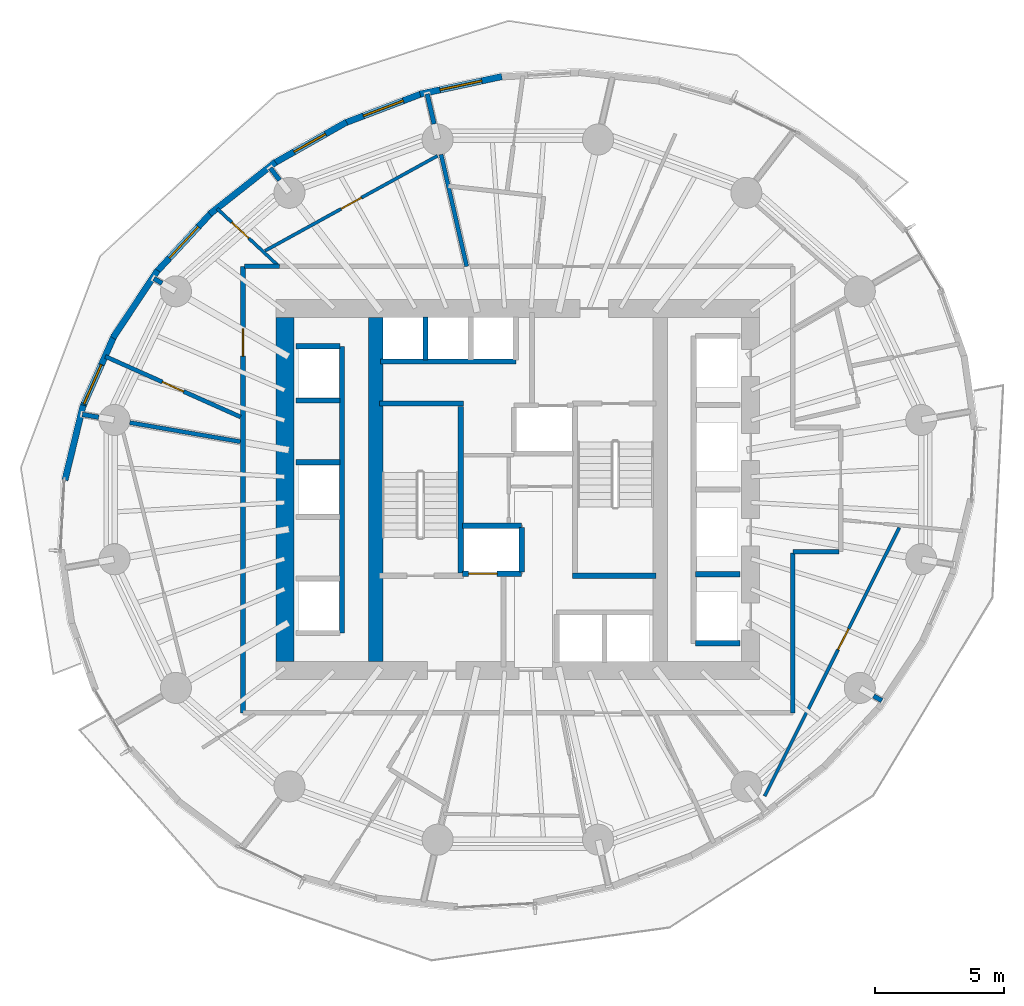
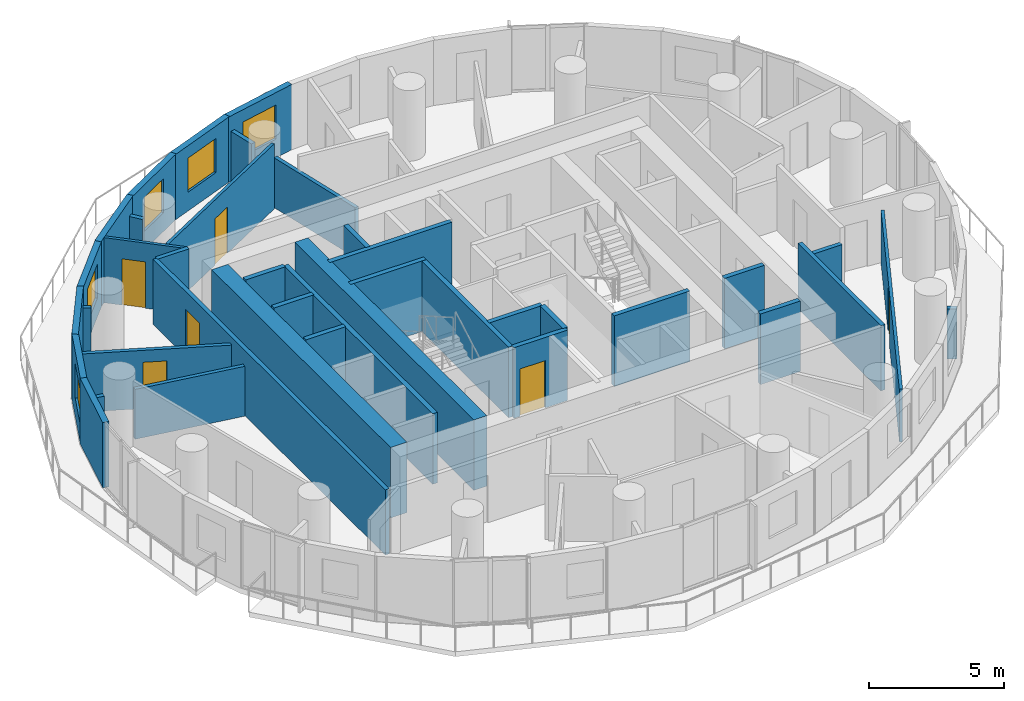
# One storey, part 8 of 15: 39 walls, 6 doors, 5 windows, 11 openings.
"""IFC4 building model written with IfcOpenShell, lengths in metres."""

from ifc_helpers import new_model, si_unit, direction, frame, frame_2d, origin, place, context, subcontext, project, spatial, rectangle, extrude, material, layer, layer_set, type_object, element, fill, save


model = new_model("IFC4")

# Units and contexts
model_context = context("Model", 3, precision=1e-05, world=origin(), true_north=direction((0.0, 1.0)))
body_context = subcontext(model_context, "Body", "Model", "MODEL_VIEW")
ifc_project = project(units=[si_unit("LENGTHUNIT", "METRE"), si_unit("AREAUNIT", "SQUARE_METRE"), si_unit("VOLUMEUNIT", "CUBIC_METRE"), si_unit("PLANEANGLEUNIT", "RADIAN"), si_unit("MASSUNIT", "GRAM", prefix="KILO")], contexts=[model_context])

# Site, building, storey
site_placement = place(None, origin())
site = spatial("IfcSite", under=ifc_project, at=site_placement, CompositionType="ELEMENT")
building_placement = place(site_placement, origin())
building = spatial("IfcBuilding", under=site, at=building_placement, Name="Veldorim Arch Residences", CompositionType="ELEMENT")
storey_placement = place(building_placement, frame((0.0, 0.0, 102.8798828125)))
storey = spatial("IfcBuildingStorey", under=building, at=storey_placement, Name="L30", CompositionType="ELEMENT", Elevation=102.8798828125)

# Wall, opening, door
ifc_material_1 = material(Name="Acoustic Gypsum Board", Category="gypsum")
ifc_layer_1 = layer(ifc_material_1, 0.125, Name="Acoustic Stud Room Partition Wall 125")
ifc_layer_set_1 = layer_set([ifc_layer_1], Name="Acoustic Gypsum Board")
wall_type_1 = type_object("IfcWallType", Name="Acoustic Stud Room Partition Wall 125", PredefinedType="PARTITIONING", material=ifc_layer_set_1)
wall_1_placement = place(storey_placement, frame((46.745849609375, 22.527587890625, 0.0), z_axis=(0.0, 0.0, 1.0), x_axis=(-0.448357094434, -0.893854527242, 0.0)))
wall_1 = element("IfcWall", 1, at=wall_1_placement, inside=storey, type_object=wall_type_1, Name="L30 interior wall WL-RES-L30-021", PredefinedType="PARTITIONING", context=body_context, shape_type="SweptSolid", body=[
    extrude(rectangle(XDim=11.61083984375, YDim=0.125, at=frame_2d((5.805419921875, 0.0))), origin(), (0.0, 0.0, 1.0), 2.40380859375),
])
opening_1_placement = place(wall_1_placement, frame((4.37548828125, 0.0, 0.0)))
opening_1 = element("IfcOpeningElement", 2, at=opening_1_placement, cuts=wall_1, Name="Opening DR-INT", PredefinedType="OPENING", context=body_context, shape_type="SweptSolid", body=[
    extrude(rectangle(XDim=0.89990234375, YDim=2.10009765625, at=frame_2d((0.449951171875, 1.050048828125))), frame((0.0, 0.072509765625, 0.0), z_axis=(0.0, -1.0, 0.0), x_axis=(1.0, 0.0, 0.0)), (0.0, 0.0, 1.0), 0.14501953125),
])
ifc_material_2 = material(Name="Engineered Timber", Category="wood")
door_type_1 = type_object("IfcDoorType", Name="Apartment Internal Room Timber Door 900x2100", OperationType="SINGLE_SWING_LEFT", PredefinedType="DOOR", material=ifc_material_2)
door_1_placement = place(opening_1_placement, origin())
door_1 = element("IfcDoor", 3, at=door_1_placement, inside=storey, type_object=door_type_1, Name="L30 interior door DR-RES-L30-008", OperationType="SINGLE_SWING_RIGHT", OverallHeight=2.10009765625, OverallWidth=0.89990234375, PredefinedType="DOOR", context=body_context, shape_type="SweptSolid", body=[
    extrude(rectangle(XDim=0.89990234375, YDim=2.10009765625, at=frame_2d((0.449951171875, 1.050048828125))), frame((0.0, 0.02490234375, 0.0), z_axis=(0.0, -1.0, 0.0), x_axis=(1.0, 0.0, 0.0)), (0.0, 0.0, 1.0), 0.050048828125),
])
fill(opening_1, door_1)

wall_2_placement = place(storey_placement, frame((20.372802734375, 34.86328125, 0.0), z_axis=(0.0, 0.0, 1.0), x_axis=(0.730692833249, -0.682706366924, 0.0)))
wall_2 = element("IfcWall", 4, at=wall_2_placement, inside=storey, type_object=wall_type_1, Name="L30 interior wall WL-RES-L30-029", PredefinedType="PARTITIONING", context=body_context, shape_type="SweptSolid", body=[
    extrude(rectangle(XDim=3.271484375, YDim=0.125, at=frame_2d((1.6357421875, 0.0))), origin(), (0.0, 0.0, 1.0), 2.955078125),
])
opening_2_placement = place(wall_2_placement, frame((0.781494140625, 0.0, 0.0)))
opening_2 = element("IfcOpeningElement", 5, at=opening_2_placement, cuts=wall_2, Name="Opening DR-INT", PredefinedType="OPENING", context=body_context, shape_type="SweptSolid", body=[
    extrude(rectangle(XDim=0.89990234375, YDim=2.10009765625, at=frame_2d((0.449951171875, 1.050048828125))), frame((0.0, 0.072509765625, 0.0), z_axis=(0.0, -1.0, 0.0), x_axis=(1.0, 0.0, 0.0)), (0.0, 0.0, 1.0), 0.14501953125),
])
door_2_placement = place(opening_2_placement, origin())
door_2 = element("IfcDoor", 6, at=door_2_placement, inside=storey, type_object=door_type_1, Name="L30 interior door DR-RES-L30-017", OperationType="SINGLE_SWING_LEFT", OverallHeight=2.10009765625, OverallWidth=0.89990234375, PredefinedType="DOOR", context=body_context, shape_type="SweptSolid", body=[
    extrude(rectangle(XDim=0.89990234375, YDim=2.10009765625, at=frame_2d((0.449951171875, 1.050048828125))), frame((0.0, 0.02490234375, 0.0), z_axis=(0.0, -1.0, 0.0), x_axis=(1.0, 0.0, 0.0)), (0.0, 0.0, 1.0), 0.050048828125),
])
fill(opening_2, door_2)

wall_3_placement = place(storey_placement, frame((28.8935546875, 36.90673828125, 0.0), z_axis=(0.0, 0.0, 1.0), x_axis=(-0.875900786778, -0.482491255591, 0.0)))
wall_3 = element("IfcWall", 7, at=wall_3_placement, inside=storey, type_object=wall_type_1, Name="L30 interior wall WL-RES-L30-031", PredefinedType="PARTITIONING", context=body_context, shape_type="SweptSolid", body=[
    extrude(rectangle(XDim=7.61083984375, YDim=0.125, at=frame_2d((3.805419921875, 0.0))), origin(), (0.0, 0.0, 1.0), 2.955078125),
])
opening_3_placement = place(wall_3_placement, frame((3.355224609375, 0.0, 0.0)))
opening_3 = element("IfcOpeningElement", 8, at=opening_3_placement, cuts=wall_3, Name="Opening DR-INT", PredefinedType="OPENING", context=body_context, shape_type="SweptSolid", body=[
    extrude(rectangle(XDim=0.89990234375, YDim=2.10009765625, at=frame_2d((0.449951171875, 1.050048828125))), frame((0.0, 0.072509765625, 0.0), z_axis=(0.0, -1.0, 0.0), x_axis=(1.0, 0.0, 0.0)), (0.0, 0.0, 1.0), 0.14501953125),
])
door_3_placement = place(opening_3_placement, origin())
door_3 = element("IfcDoor", 9, at=door_3_placement, inside=storey, type_object=door_type_1, Name="L30 interior door DR-RES-L30-018", OperationType="SINGLE_SWING_RIGHT", OverallHeight=2.10009765625, OverallWidth=0.89990234375, PredefinedType="DOOR", context=body_context, shape_type="SweptSolid", body=[
    extrude(rectangle(XDim=0.89990234375, YDim=2.10009765625, at=frame_2d((0.449951171875, 1.050048828125))), frame((0.0, 0.02490234375, 0.0), z_axis=(0.0, -1.0, 0.0), x_axis=(1.0, 0.0, 0.0)), (0.0, 0.0, 1.0), 0.050048828125),
])
fill(opening_3, door_3)

# Walls
ifc_material_3 = material(Name="Lightweight Masonry Block & Gypsum", Category="masonry")
ifc_layer_2 = layer(ifc_material_3, 0.179931640625, Name="Compartment & Corridor Fire-Rated Party Wall 180")
ifc_layer_set_2 = layer_set([ifc_layer_2], Name="Lightweight Masonry Block & Gypsum")
wall_type_2 = type_object("IfcWallType", Name="Compartment & Corridor Fire-Rated Party Wall 180", PredefinedType="PARTITIONING", material=ifc_layer_set_2)
wall_4_placement = place(storey_placement, frame((28.759521484375, 38.13916015625, 0.0), z_axis=(0.0, 0.0, 1.0), x_axis=(-0.223327310752, 0.974743511018, 0.0)))
element("IfcWall", 10, at=wall_4_placement, inside=storey, type_object=wall_type_2, Name="L30 interior wall WL-PIER-L30-05", PredefinedType="PARTITIONING", context=body_context, shape_type="SweptSolid", body=[
    extrude(rectangle(XDim=1.187255859375, YDim=0.179931640625, at=frame_2d((0.59375, 0.0))), origin(), (0.0, 0.0, 1.0), 2.2607421875),
])
wall_5_placement = place(storey_placement, frame((22.7880859375, 35.965576171875, 0.0), z_axis=(0.0, 0.0, 1.0), x_axis=(-0.609790512648, 0.792562635181, 0.0)))
element("IfcWall", 11, at=wall_5_placement, inside=storey, type_object=wall_type_2, Name="L30 interior wall WL-PIER-L30-06", PredefinedType="PARTITIONING", context=body_context, shape_type="SweptSolid", body=[
    extrude(rectangle(XDim=0.591796875, YDim=0.179931640625, at=frame_2d((0.2958984375, 0.0))), origin(), (0.0, 0.0, 1.0), 2.2607421875),
])
wall_6_placement = place(storey_placement, frame((18.243408203125, 31.977783203125, 0.0), z_axis=(0.0, 0.0, 1.0), x_axis=(-0.864891917132, 0.501958137377, 0.0)))
element("IfcWall", 12, at=wall_6_placement, inside=storey, type_object=wall_type_2, Name="L30 interior wall WL-PIER-L30-07", PredefinedType="PARTITIONING", context=body_context, shape_type="SweptSolid", body=[
    extrude(rectangle(XDim=0.365234375, YDim=0.179931640625, at=frame_2d((0.1826171875, 0.0))), origin(), (0.0, 0.0, 1.0), 2.2607421875),
])
wall_7_placement = place(storey_placement, frame((15.79443359375, 26.797607421875, 0.0), z_axis=(0.0, 0.0, 1.0), x_axis=(-0.985389793052, 0.170314285219, 0.0)))
element("IfcWall", 13, at=wall_7_placement, inside=storey, type_object=wall_type_2, Name="L30 interior wall WL-PIER-L30-08", PredefinedType="PARTITIONING", context=body_context, shape_type="SweptSolid", body=[
    extrude(rectangle(XDim=0.64208984375, YDim=0.179931640625, at=frame_2d((0.321044921875, 0.0))), origin(), (0.0, 0.0, 1.0), 2.2607421875),
])
wall_8_placement = place(storey_placement, frame((45.756591796875, 16.022216796875, 0.0), z_axis=(0.0, 0.0, 1.0), x_axis=(0.864891917132, -0.501958137377, 0.0)))
element("IfcWall", 14, at=wall_8_placement, inside=storey, type_object=wall_type_2, Name="L30 interior wall WL-PIER-L30-15", PredefinedType="PARTITIONING", context=body_context, shape_type="SweptSolid", body=[
    extrude(rectangle(XDim=0.365234375, YDim=0.179931640625, at=frame_2d((0.1826171875, 0.0))), origin(), (0.0, 0.0, 1.0), 2.2607421875),
])
wall_9_placement = place(storey_placement, frame((44.419921875, 21.60009765625, 0.0), z_axis=(0.0, 0.0, 1.0), x_axis=(-1.0, 0.0, 0.0)))
element("IfcWall", 15, at=wall_9_placement, inside=storey, type_object=wall_type_2, Name="L30 interior wall WL-RES-L30-005", PredefinedType="PARTITIONING", context=body_context, shape_type="SweptSolid", body=[
    extrude(rectangle(XDim=1.7900390625, YDim=0.179931640625, at=frame_2d((0.89501953125, 0.0))), origin(), (0.0, 0.0, 1.0), 2.2607421875),
])
wall_10_placement = place(storey_placement, frame((42.6298828125, 21.5400390625, 0.0), z_axis=(0.0, 0.0, 1.0), x_axis=(0.0, -1.0, 0.0)))
element("IfcWall", 16, at=wall_10_placement, inside=storey, type_object=wall_type_2, Name="L30 interior wall WL-RES-L30-006", PredefinedType="PARTITIONING", context=body_context, shape_type="SweptSolid", body=[
    extrude(rectangle(XDim=6.169921875, YDim=0.179931640625, at=frame_2d((3.0849609375, 0.0))), origin(), (0.0, 0.0, 1.0), 2.955078125),
])

# Wall, opening, door
wall_11_placement = place(storey_placement, frame((21.3701171875, 15.3701171875, 0.0), z_axis=(0.0, 0.0, 1.0), x_axis=(0.0, 1.0, 0.0)))
wall_11 = element("IfcWall", 17, at=wall_11_placement, inside=storey, type_object=wall_type_2, Name="L30 interior wall WL-RES-L30-008", PredefinedType="PARTITIONING", context=body_context, shape_type="SweptSolid", body=[
    extrude(rectangle(XDim=17.259765625, YDim=0.179931640625, at=frame_2d((8.6298828125, 0.0))), origin(), (0.0, 0.0, 1.0), 2.955078125),
])
opening_4_placement = place(wall_11_placement, frame((13.794189453125, 0.0, 0.0)))
opening_4 = element("IfcOpeningElement", 18, at=opening_4_placement, cuts=wall_11, Name="Opening DR-FLT", PredefinedType="OPENING", context=body_context, shape_type="SweptSolid", body=[
    extrude(rectangle(XDim=1.050048828125, YDim=2.14990234375, at=frame_2d((0.52490234375, 1.074951171875))), frame((0.0, 0.099853515625, 0.0), z_axis=(0.0, -1.0, 0.0), x_axis=(1.0, 0.0, 0.0)), (0.0, 0.0, 1.0), 0.199951171875),
])
ifc_material_4 = material(Name="Fire-Rated Timber", Category="wood")
door_type_2 = type_object("IfcDoorType", Name="Apartment Entrance Solid-Core Fire Door 1050x2150", OperationType="SINGLE_SWING_LEFT", PredefinedType="DOOR", material=ifc_material_4)
door_4_placement = place(opening_4_placement, origin())
door_4 = element("IfcDoor", 19, at=door_4_placement, inside=storey, type_object=door_type_2, Name="L30 interior door DR-RES-L30-015", OperationType="SINGLE_SWING_LEFT", OverallHeight=2.14990234375, OverallWidth=1.050048828125, PredefinedType="DOOR", context=body_context, shape_type="SweptSolid", body=[
    extrude(rectangle(XDim=1.050048828125, YDim=2.14990234375, at=frame_2d((0.52490234375, 1.074951171875))), frame((0.0, 0.02490234375, 0.0), z_axis=(0.0, -1.0, 0.0), x_axis=(1.0, 0.0, 0.0)), (0.0, 0.0, 1.0), 0.050048828125),
])
fill(opening_4, door_4)

# Walls
wall_12_placement = place(storey_placement, frame((21.429931640625, 32.6298828125, 0.0), z_axis=(0.0, 0.0, 1.0), x_axis=(1.0, 0.0, 0.0)))
element("IfcWall", 20, at=wall_12_placement, inside=storey, type_object=wall_type_2, Name="L30 interior wall WL-RES-L30-009", PredefinedType="PARTITIONING", context=body_context, shape_type="SweptSolid", body=[
    extrude(rectangle(XDim=1.353271484375, YDim=0.179931640625, at=frame_2d((0.6767578125, 0.0))), origin(), (0.0, 0.0, 1.0), 2.955078125),
])
ifc_material_5 = material(Name="Concrete C50/60", Category="concrete")
ifc_layer_3 = layer(ifc_material_5, 0.199951171875, Name="Core Stair & Lift Shaft Enclosure Wall 200")
ifc_layer_set_3 = layer_set([ifc_layer_3], Name="Concrete C50/60")
wall_type_3 = type_object("IfcWallType", Name="Core Stair & Lift Shaft Enclosure Wall 200", PredefinedType="SHEAR", material=ifc_layer_set_3)
wall_13_placement = place(storey_placement, frame((29.7900390625, 20.780029296875, 0.0), z_axis=(0.0, 0.0, 1.0), x_axis=(0.0, 1.0, 0.0)))
element("IfcWall", 21, at=wall_13_placement, inside=storey, type_object=wall_type_3, Name="L30 shaft wall WL-SHF-L30-ST1-E", PredefinedType="SHEAR", context=body_context, shape_type="SweptSolid", body=[
    extrude(rectangle(XDim=6.43994140625, YDim=0.199951171875, at=frame_2d((3.219970703125, 0.0))), origin(), (0.0, 0.0, 1.0), 3.2001953125),
])
for number, where, z_axis, x_axis, name in (
    (22, (26.64990234375, 27.330078125, 0.0), (0.0, 0.0, 1.0), (1.0, 0.0, 0.0), "L30 shaft wall WL-SHF-L30-ST1-N"),
    (23, (34.110107421875, 20.669921875, 0.0), (0.0, 0.0, 1.0), (1.0, 0.0, 0.0), "L30 shaft wall WL-SHF-L30-ST2-S"),
):
    element("IfcWall", number, at=place(storey_placement, frame(where, z_axis=z_axis, x_axis=x_axis)), inside=storey, type_object=wall_type_3, Name=name, PredefinedType="SHEAR", context=body_context, shape_type="SweptSolid", body=[
        extrude(rectangle(XDim=3.239990234375, YDim=0.199951171875, at=frame_2d((1.6201171875, 0.0))), origin(), (0.0, 0.0, 1.0), 3.2001953125),
    ])

# Wall, opening, door
wall_14_placement = place(storey_placement, frame((29.85009765625, 20.75, 0.0), z_axis=(0.0, 0.0, 1.0), x_axis=(1.0, 0.0, 0.0)))
wall_14 = element("IfcWall", 24, at=wall_14_placement, inside=storey, type_object=wall_type_3, Name="L30 shaft wall WL-FL01-L30-S", PredefinedType="SHEAR", context=body_context, shape_type="SweptSolid", body=[
    extrude(rectangle(XDim=2.2998046875, YDim=0.199951171875, at=frame_2d((1.14990234375, 0.0))), origin(), (0.0, 0.0, 1.0), 3.2001953125),
])
opening_5_placement = place(wall_14_placement, frame((0.25, 0.0, 0.0)))
opening_5 = element("IfcOpeningElement", 25, at=opening_5_placement, cuts=wall_14, Name="Opening LD-FF", PredefinedType="OPENING", context=body_context, shape_type="SweptSolid", body=[
    extrude(rectangle(XDim=1.10009765625, YDim=2.14990234375, at=frame_2d((0.550048828125, 1.074951171875))), frame((0.0, 0.10986328125, 0.0), z_axis=(0.0, -1.0, 0.0), x_axis=(1.0, 0.0, 0.0)), (0.0, 0.0, 1.0), 0.219970703125),
])
ifc_material_6 = material(Name="Stainless Steel", Category="steel")
door_type_3 = type_object("IfcDoorType", Name="Firefighting Lift Bi-Parting Sliding Landing Door 1100x2150", OperationType="DOUBLE_DOOR_SLIDING", PredefinedType="DOOR", material=ifc_material_6)
door_5_placement = place(opening_5_placement, origin())
door_5 = element("IfcDoor", 26, at=door_5_placement, inside=storey, type_object=door_type_3, Name="L30 lift landing door LD-L30-FL01", OperationType="DOUBLE_DOOR_SLIDING", OverallHeight=2.14990234375, OverallWidth=1.10009765625, PredefinedType="DOOR", context=body_context, shape_type="SweptSolid", body=[
    extrude(rectangle(XDim=1.10009765625, YDim=2.14990234375, at=frame_2d((0.550048828125, 1.074951171875))), frame((0.0, 0.02490234375, 0.0), z_axis=(0.0, -1.0, 0.0), x_axis=(1.0, 0.0, 0.0)), (0.0, 0.0, 1.0), 0.050048828125),
])
fill(opening_5, door_5)

# Walls
wall_15_placement = place(storey_placement, frame((29.85009765625, 22.60009765625, 0.0), z_axis=(0.0, 0.0, 1.0), x_axis=(1.0, 0.0, 0.0)))
element("IfcWall", 27, at=wall_15_placement, inside=storey, type_object=wall_type_3, Name="L30 shaft wall WL-FL01-L30-N", PredefinedType="SHEAR", context=body_context, shape_type="SweptSolid", body=[
    extrude(rectangle(XDim=2.2998046875, YDim=0.199951171875, at=frame_2d((1.14990234375, 0.0))), origin(), (0.0, 0.0, 1.0), 3.2001953125),
])
for number, where, z_axis, x_axis, name in (
    (28, (32.14990234375, 20.820068359375, 0.0), (0.0, 0.0, 1.0), (0.0, 1.0, 0.0), "L30 shaft wall WL-FL01-L30-E"),
    (29, (38.8701171875, 18.06005859375, 0.0), (0.0, 0.0, 1.0), (1.0, 0.0, 0.0), "L30 shaft wall WL-B1-L30-S"),
    (30, (38.8701171875, 20.72509765625, 0.0), (0.0, 0.0, 1.0), (1.0, 0.0, 0.0), "L30 shaft wall WL-B1-L30-D1"),
):
    element("IfcWall", number, at=place(storey_placement, frame(where, z_axis=z_axis, x_axis=x_axis)), inside=storey, type_object=wall_type_3, Name=name, PredefinedType="SHEAR", context=body_context, shape_type="SweptSolid", body=[
        extrude(rectangle(XDim=1.7099609375, YDim=0.199951171875, at=frame_2d((0.85498046875, 0.0))), origin(), (0.0, 0.0, 1.0), 3.2001953125),
    ])
wall_16_placement = place(storey_placement, frame((25.199951171875, 18.4599609375, 0.0), z_axis=(0.0, 0.0, 1.0), x_axis=(0.0, 1.0, 0.0)))
element("IfcWall", 31, at=wall_16_placement, inside=storey, type_object=wall_type_3, Name="L30 shaft wall WL-B2-L30-E", PredefinedType="SHEAR", context=body_context, shape_type="SweptSolid", body=[
    extrude(rectangle(XDim=11.080078125, YDim=0.199951171875, at=frame_2d((5.5400390625, 0.0))), origin(), (0.0, 0.0, 1.0), 3.2001953125),
])
for number, where, z_axis, x_axis, name in (
    (32, (23.419921875, 29.5400390625, 0.0), (0.0, 0.0, 1.0), (1.0, 0.0, 0.0), "L30 shaft wall WL-B2-L30-N"),
    (33, (23.419921875, 25.06005859375, 0.0), (0.0, 0.0, 1.0), (1.0, 0.0, 0.0), "L30 shaft wall WL-B2-L30-D2A"),
    (34, (23.419921875, 27.43994140625, 0.0), (0.0, 0.0, 1.0), (1.0, 0.0, 0.0), "L30 shaft wall WL-B2-L30-D2B"),
):
    element("IfcWall", number, at=place(storey_placement, frame(where, z_axis=z_axis, x_axis=x_axis)), inside=storey, type_object=wall_type_3, Name=name, PredefinedType="SHEAR", context=body_context, shape_type="SweptSolid", body=[
        extrude(rectangle(XDim=1.7099609375, YDim=0.199951171875, at=frame_2d((0.85498046875, 0.0))), origin(), (0.0, 0.0, 1.0), 3.2001953125),
    ])
wall_17_placement = place(storey_placement, frame((26.679931640625, 28.949951171875, 0.0), z_axis=(0.0, 0.0, 1.0), x_axis=(1.0, 0.0, 0.0)))
element("IfcWall", 35, at=wall_17_placement, inside=storey, type_object=wall_type_3, Name="L30 shaft wall WL-B3-L30-S", PredefinedType="SHEAR", context=body_context, shape_type="SweptSolid", body=[
    extrude(rectangle(XDim=5.239990234375, YDim=0.199951171875, at=frame_2d((2.6201171875, 0.0))), origin(), (0.0, 0.0, 1.0), 3.2001953125),
])
wall_18_placement = place(storey_placement, frame((28.425048828125, 29.02001953125, 0.0), z_axis=(0.0, 0.0, 1.0), x_axis=(0.0, 1.0, 0.0)))
element("IfcWall", 36, at=wall_18_placement, inside=storey, type_object=wall_type_3, Name="L30 shaft wall WL-B3-L30-D1", PredefinedType="SHEAR", context=body_context, shape_type="SweptSolid", body=[
    extrude(rectangle(XDim=1.659912109375, YDim=0.199951171875, at=frame_2d((0.830078125, 0.0))), origin(), (0.0, 0.0, 1.0), 3.2001953125),
])
ifc_material_7 = material(Name="Concrete C60/75", Category="concrete")
ifc_layer_4 = layer(ifc_material_7, 0.56005859375, Name="Internal Core Shear Web Wall 560")
ifc_layer_set_4 = layer_set([ifc_layer_4], Name="Concrete C60/75")
wall_type_4 = type_object("IfcWallType", Name="Internal Core Shear Web Wall 560", PredefinedType="SHEAR", material=ifc_layer_set_4)
wall_19_placement = place(storey_placement, frame((26.5, 17.35009765625, 0.0), z_axis=(0.0, 0.0, 1.0), x_axis=(0.0, 1.0, 0.0)))
element("IfcWall", 37, at=wall_19_placement, inside=storey, type_object=wall_type_4, Name="L30 core west internal shear web", PredefinedType="SHEAR", context=body_context, shape_type="SweptSolid", body=[
    extrude(rectangle(XDim=13.2998046875, YDim=0.56005859375, at=frame_2d((6.64990234375, 0.0))), origin(), (0.0, 0.0, 1.0), 3.2001953125),
])
ifc_material_8 = material(Name="Concrete C60/75", Category="concrete")
ifc_layer_5 = layer(ifc_material_8, 0.699951171875, Name="Mid-Lower Central Core Shear Wall 700")
ifc_layer_set_5 = layer_set([ifc_layer_5], Name="Concrete C60/75")
wall_type_5 = type_object("IfcWallType", Name="Mid-Lower Central Core Shear Wall 700", PredefinedType="SHEAR", material=ifc_layer_set_5)
wall_20_placement = place(storey_placement, frame((23.0, 17.35009765625, 0.0), z_axis=(0.0, 0.0, 1.0), x_axis=(0.0, 1.0, 0.0)))
element("IfcWall", 38, at=wall_20_placement, inside=storey, type_object=wall_type_5, Name="L30 central core west shear wall", PredefinedType="SHEAR", context=body_context, shape_type="SweptSolid", body=[
    extrude(rectangle(XDim=13.2998046875, YDim=0.699951171875, at=frame_2d((6.64990234375, 0.0))), origin(), (0.0, 0.0, 1.0), 3.2001953125),
])

# Wall, opening, window
ifc_material_9 = material(Name="Precast concrete C40/50", Category="concrete")
ifc_layer_6 = layer(ifc_material_9, 0.25, Name="Tower Terracotta Spandrel & Pier Wall 250")
ifc_layer_set_6 = layer_set([ifc_layer_6], Name="Precast concrete C40/50")
wall_type_6 = type_object("IfcWallType", Name="Tower Terracotta Spandrel & Pier Wall 250", PredefinedType="SOLIDWALL", material=ifc_layer_set_6)
wall_21_placement = place(storey_placement, frame((28.216796875, 39.29296875, 0.0), z_axis=(0.0, 0.0, 1.0), x_axis=(0.977758229837, 0.209735175845, 0.0)))
wall_21 = element("IfcWall", 39, at=wall_21_placement, inside=storey, type_object=wall_type_6, Name="L30 terracotta facade wall 08", PredefinedType="SOLIDWALL", context=body_context, shape_type="SweptSolid", body=[
    extrude(rectangle(XDim=3.236083984375, YDim=0.25, at=frame_2d((1.6181640625, 0.0))), origin(), (0.0, 0.0, 1.0), 2.960205078125),
])
opening_6_placement = place(wall_21_placement, frame((0.79296875, 0.0, 0.85009765625)))
opening_6 = element("IfcOpeningElement", 40, at=opening_6_placement, cuts=wall_21, Name="Opening WN-03", PredefinedType="OPENING", context=body_context, shape_type="SweptSolid", body=[
    extrude(rectangle(XDim=1.64990234375, YDim=1.550048828125, at=frame_2d((0.824951171875, 0.77490234375))), frame((0.0, 0.135009765625, 0.0), z_axis=(0.0, -1.0, 0.0), x_axis=(1.0, 0.0, 0.0)), (0.0, 0.0, 1.0), 0.27001953125),
])
ifc_material_10 = material(Name="Laminated Low-E Glass", Category="glass")
window_type_1 = type_object("IfcWindowType", Name="Residential Wide Window 1650x1550", PartitioningType="SINGLE_PANEL", PredefinedType="WINDOW", material=ifc_material_10)
window_1_placement = place(opening_6_placement, origin())
window_1 = element("IfcWindow", 41, at=window_1_placement, inside=storey, type_object=window_type_1, Name="L30 solar-control facade window 08", OverallHeight=1.550048828125, OverallWidth=1.64990234375, PartitioningType="SINGLE_PANEL", PredefinedType="WINDOW", context=body_context, shape_type="SweptSolid", body=[
    extrude(rectangle(XDim=1.64990234375, YDim=1.550048828125, at=frame_2d((0.824951171875, 0.77490234375))), frame((0.0, 0.030029296875, 0.0), z_axis=(0.0, -1.0, 0.0), x_axis=(1.0, 0.0, 0.0)), (0.0, 0.0, 1.0), 0.06005859375),
])
fill(opening_6, window_1)

wall_22_placement = place(storey_placement, frame((25.275146484375, 38.16357421875, 0.0), z_axis=(0.0, 0.0, 1.0), x_axis=(0.934481801939, 0.3560109013, 0.0)))
wall_22 = element("IfcWall", 42, at=wall_22_placement, inside=storey, type_object=wall_type_6, Name="L30 terracotta facade wall 09", PredefinedType="SOLIDWALL", context=body_context, shape_type="SweptSolid", body=[
    extrude(rectangle(XDim=3.259521484375, YDim=0.25, at=frame_2d((1.6298828125, 0.0))), origin(), (0.0, 0.0, 1.0), 2.960205078125),
])
opening_7_placement = place(wall_22_placement, frame((0.804931640625, 0.0, 0.85009765625)))
opening_7 = element("IfcOpeningElement", 43, at=opening_7_placement, cuts=wall_22, Name="Opening WN-03", PredefinedType="OPENING", context=body_context, shape_type="SweptSolid", body=[
    extrude(rectangle(XDim=1.64990234375, YDim=1.550048828125, at=frame_2d((0.824951171875, 0.77490234375))), frame((0.0, 0.135009765625, 0.0), z_axis=(0.0, -1.0, 0.0), x_axis=(1.0, 0.0, 0.0)), (0.0, 0.0, 1.0), 0.27001953125),
])
window_2_placement = place(opening_7_placement, origin())
window_2 = element("IfcWindow", 44, at=window_2_placement, inside=storey, type_object=window_type_1, Name="L30 solar-control facade window 09", OverallHeight=1.550048828125, OverallWidth=1.64990234375, PartitioningType="SINGLE_PANEL", PredefinedType="WINDOW", context=body_context, shape_type="SweptSolid", body=[
    extrude(rectangle(XDim=1.64990234375, YDim=1.550048828125, at=frame_2d((0.824951171875, 0.77490234375))), frame((0.0, 0.030029296875, 0.0), z_axis=(0.0, -1.0, 0.0), x_axis=(1.0, 0.0, 0.0)), (0.0, 0.0, 1.0), 0.06005859375),
])
fill(opening_7, window_2)

wall_23_placement = place(storey_placement, frame((22.537841796875, 36.6025390625, 0.0), z_axis=(0.0, 0.0, 1.0), x_axis=(0.869984700924, 0.493078715986, 0.0)))
wall_23 = element("IfcWall", 45, at=wall_23_placement, inside=storey, type_object=wall_type_6, Name="L30 terracotta facade wall 10", PredefinedType="SOLIDWALL", context=body_context, shape_type="SweptSolid", body=[
    extrude(rectangle(XDim=3.259521484375, YDim=0.25, at=frame_2d((1.6298828125, 0.0))), origin(), (0.0, 0.0, 1.0), 2.960205078125),
])
opening_8_placement = place(wall_23_placement, frame((0.929931640625, 0.0, 0.85009765625)))
opening_8 = element("IfcOpeningElement", 46, at=opening_8_placement, cuts=wall_23, Name="Opening WN-02", PredefinedType="OPENING", context=body_context, shape_type="SweptSolid", body=[
    extrude(rectangle(XDim=1.39990234375, YDim=1.550048828125, at=frame_2d((0.699951171875, 0.77490234375))), frame((0.0, 0.135009765625, 0.0), z_axis=(0.0, -1.0, 0.0), x_axis=(1.0, 0.0, 0.0)), (0.0, 0.0, 1.0), 0.27001953125),
])
ifc_material_11 = material(Name="Laminated Low-E Glass", Category="glass")
window_type_2 = type_object("IfcWindowType", Name="Residential Casement Window 1400x1550", PartitioningType="SINGLE_PANEL", PredefinedType="WINDOW", material=ifc_material_11)
window_3_placement = place(opening_8_placement, origin())
window_3 = element("IfcWindow", 47, at=window_3_placement, inside=storey, type_object=window_type_2, Name="L30 solar-control facade window 10", OverallHeight=1.550048828125, OverallWidth=1.39990234375, PartitioningType="SINGLE_PANEL", PredefinedType="WINDOW", context=body_context, shape_type="SweptSolid", body=[
    extrude(rectangle(XDim=1.39990234375, YDim=1.550048828125, at=frame_2d((0.699951171875, 0.77490234375))), frame((0.0, 0.030029296875, 0.0), z_axis=(0.0, -1.0, 0.0), x_axis=(1.0, 0.0, 0.0)), (0.0, 0.0, 1.0), 0.06005859375),
])
fill(opening_8, window_3)

# Wall
wall_24_placement = place(storey_placement, frame((20.088134765625, 34.65771484375, 0.0), z_axis=(0.0, 0.0, 1.0), x_axis=(0.784871179145, 0.619658964389, 0.0)))
element("IfcWall", 48, at=wall_24_placement, inside=storey, type_object=wall_type_6, Name="L30 terracotta facade wall 11", PredefinedType="SOLIDWALL", context=body_context, shape_type="SweptSolid", body=[
    extrude(rectangle(XDim=3.236328125, YDim=0.25, at=frame_2d((1.6181640625, 0.0))), origin(), (0.0, 0.0, 1.0), 2.960205078125),
])

# Wall, opening, window
wall_25_placement = place(storey_placement, frame((18.001220703125, 32.388427734375, 0.0), z_axis=(0.0, 0.0, 1.0), x_axis=(0.678956449941, 0.734178547142, 0.0)))
wall_25 = element("IfcWall", 49, at=wall_25_placement, inside=storey, type_object=wall_type_6, Name="L30 terracotta facade wall 12", PredefinedType="SOLIDWALL", context=body_context, shape_type="SweptSolid", body=[
    extrude(rectangle(XDim=3.19189453125, YDim=0.25, at=frame_2d((1.595947265625, 0.0))), origin(), (0.0, 0.0, 1.0), 2.960205078125),
])
opening_9_placement = place(wall_25_placement, frame((0.77099609375, 0.0, 0.85009765625)))
opening_9 = element("IfcOpeningElement", 50, at=opening_9_placement, cuts=wall_25, Name="Opening WN-03", PredefinedType="OPENING", context=body_context, shape_type="SweptSolid", body=[
    extrude(rectangle(XDim=1.64990234375, YDim=1.550048828125, at=frame_2d((0.824951171875, 0.77490234375))), frame((0.0, 0.135009765625, 0.0), z_axis=(0.0, -1.0, 0.0), x_axis=(1.0, 0.0, 0.0)), (0.0, 0.0, 1.0), 0.27001953125),
])
window_4_placement = place(opening_9_placement, origin())
window_4 = element("IfcWindow", 51, at=window_4_placement, inside=storey, type_object=window_type_1, Name="L30 solar-control facade window 12", OverallHeight=1.550048828125, OverallWidth=1.64990234375, PartitioningType="SINGLE_PANEL", PredefinedType="WINDOW", context=body_context, shape_type="SweptSolid", body=[
    extrude(rectangle(XDim=1.64990234375, YDim=1.550048828125, at=frame_2d((0.824951171875, 0.77490234375))), frame((0.0, 0.030029296875, 0.0), z_axis=(0.0, -1.0, 0.0), x_axis=(1.0, 0.0, 0.0)), (0.0, 0.0, 1.0), 0.06005859375),
])
fill(opening_9, window_4)

# Wall
wall_26_placement = place(storey_placement, frame((16.340576171875, 29.864013671875, 0.0), z_axis=(0.0, 0.0, 1.0), x_axis=(0.552034347266, 0.833821371421, 0.0)))
element("IfcWall", 52, at=wall_26_placement, inside=storey, type_object=wall_type_6, Name="L30 terracotta facade wall 13", PredefinedType="SOLIDWALL", context=body_context, shape_type="SweptSolid", body=[
    extrude(rectangle(XDim=3.131103515625, YDim=0.25, at=frame_2d((1.5654296875, 0.0))), origin(), (0.0, 0.0, 1.0), 2.960205078125),
])

# Wall, opening, window
wall_27_placement = place(storey_placement, frame((15.156982421875, 27.16162109375, 0.0), z_axis=(0.0, 0.0, 1.0), x_axis=(0.404109525311, 0.914710605357, 0.0)))
wall_27 = element("IfcWall", 53, at=wall_27_placement, inside=storey, type_object=wall_type_6, Name="L30 terracotta facade wall 14", PredefinedType="SOLIDWALL", context=body_context, shape_type="SweptSolid", body=[
    extrude(rectangle(XDim=3.060546875, YDim=0.25, at=frame_2d((1.5302734375, 0.0))), origin(), (0.0, 0.0, 1.0), 2.960205078125),
])
opening_10_placement = place(wall_27_placement, frame((0.175048828125, 0.0, 0.85009765625)))
opening_10 = element("IfcOpeningElement", 54, at=opening_10_placement, cuts=wall_27, Name="Opening WN-03", PredefinedType="OPENING", context=body_context, shape_type="SweptSolid", body=[
    extrude(rectangle(XDim=1.64990234375, YDim=1.550048828125, at=frame_2d((0.824951171875, 0.77490234375))), frame((0.0, 0.135009765625, 0.0), z_axis=(0.0, -1.0, 0.0), x_axis=(1.0, 0.0, 0.0)), (0.0, 0.0, 1.0), 0.27001953125),
])
window_5_placement = place(opening_10_placement, origin())
window_5 = element("IfcWindow", 55, at=window_5_placement, inside=storey, type_object=window_type_1, Name="L30 solar-control facade window 14", OverallHeight=1.550048828125, OverallWidth=1.64990234375, PartitioningType="SINGLE_PANEL", PredefinedType="WINDOW", context=body_context, shape_type="SweptSolid", body=[
    extrude(rectangle(XDim=1.64990234375, YDim=1.550048828125, at=frame_2d((0.824951171875, 0.77490234375))), frame((0.0, 0.030029296875, 0.0), z_axis=(0.0, -1.0, 0.0), x_axis=(1.0, 0.0, 0.0)), (0.0, 0.0, 1.0), 0.06005859375),
])
fill(opening_10, window_5)

# Walls
wall_28_placement = place(storey_placement, frame((14.485595703125, 24.36376953125, 0.0), z_axis=(0.0, 0.0, 1.0), x_axis=(0.236668427837, 0.971590477138, 0.0)))
element("IfcWall", 56, at=wall_28_placement, inside=storey, type_object=wall_type_6, Name="L30 terracotta facade wall 15", PredefinedType="SOLIDWALL", context=body_context, shape_type="SweptSolid", body=[
    extrude(rectangle(XDim=2.988525390625, YDim=0.25, at=frame_2d((1.494140625, 0.0))), origin(), (0.0, 0.0, 1.0), 2.960205078125),
])
ifc_material_12 = material(Name="Moisture-Resistant Gypsum & Stud", Category="gypsum")
ifc_layer_7 = layer(ifc_material_12, 0.159912109375, Name="Wet-Area Moisture-Resistant Plumbing Wall 160")
ifc_layer_set_7 = layer_set([ifc_layer_7], Name="Moisture-Resistant Gypsum & Stud")
wall_type_7 = type_object("IfcWallType", Name="Wet-Area Moisture-Resistant Plumbing Wall 160", PredefinedType="PLUMBINGWALL", material=ifc_layer_set_7)
wall_29_placement = place(storey_placement, frame((30.022216796875, 32.6298828125, 0.0), z_axis=(0.0, 0.0, 1.0), x_axis=(-0.223373980432, 0.974732817169, 0.0)))
element("IfcWall", 57, at=wall_29_placement, inside=storey, type_object=wall_type_7, Name="L30 interior wall WL-RES-L30-026", PredefinedType="PLUMBINGWALL", context=body_context, shape_type="SweptSolid", body=[
    extrude(rectangle(XDim=4.44189453125, YDim=0.159912109375, at=frame_2d((2.220947265625, 0.0))), origin(), (0.0, 0.0, 1.0), 2.2607421875),
])

# Wall, opening, door
wall_30_placement = place(storey_placement, frame((21.27880859375, 26.80908203125, 0.0), z_axis=(0.0, 0.0, 1.0), x_axis=(-0.912794415037, 0.408419338275, 0.0)))
wall_30 = element("IfcWall", 58, at=wall_30_placement, inside=storey, type_object=wall_type_7, Name="L30 interior wall WL-RES-L30-028", PredefinedType="PLUMBINGWALL", context=body_context, shape_type="SweptSolid", body=[
    extrude(rectangle(XDim=5.727294921875, YDim=0.159912109375, at=frame_2d((2.86376953125, 0.0))), origin(), (0.0, 0.0, 1.0), 2.6416015625),
])
opening_11_placement = place(wall_30_placement, frame((2.41357421875, 0.0, 0.0)))
opening_11 = element("IfcOpeningElement", 59, at=opening_11_placement, cuts=wall_30, Name="Opening DR-WC", PredefinedType="OPENING", context=body_context, shape_type="SweptSolid", body=[
    extrude(rectangle(XDim=0.89990234375, YDim=2.10009765625, at=frame_2d((0.449951171875, 1.050048828125))), frame((0.0, 0.08984375, 0.0), z_axis=(0.0, -1.0, 0.0), x_axis=(1.0, 0.0, 0.0)), (0.0, 0.0, 1.0), 0.179931640625),
])
ifc_material_13 = material(Name="Laminate Timber", Category="wood")
door_type_4 = type_object("IfcDoorType", Name="Bathroom & Accessible WC Moisture-Sealed Door 900x2100", OperationType="SINGLE_SWING_LEFT", PredefinedType="DOOR", material=ifc_material_13)
door_6_placement = place(opening_11_placement, origin())
door_6 = element("IfcDoor", 60, at=door_6_placement, inside=storey, type_object=door_type_4, Name="L30 interior door DR-RES-L30-016", OperationType="SINGLE_SWING_RIGHT", OverallHeight=2.10009765625, OverallWidth=0.89990234375, PredefinedType="DOOR", context=body_context, shape_type="SweptSolid", body=[
    extrude(rectangle(XDim=0.89990234375, YDim=2.10009765625, at=frame_2d((0.449951171875, 1.050048828125))), frame((0.0, 0.02490234375, 0.0), z_axis=(0.0, -1.0, 0.0), x_axis=(1.0, 0.0, 0.0)), (0.0, 0.0, 1.0), 0.050048828125),
])
fill(opening_11, door_6)

# Wall
wall_31_placement = place(storey_placement, frame((21.271484375, 25.85205078125, 0.0), z_axis=(0.0, 0.0, 1.0), x_axis=(-0.985414949705, 0.170168671906, 0.0)))
element("IfcWall", 61, at=wall_31_placement, inside=storey, type_object=wall_type_7, Name="L30 interior wall WL-RES-L30-030", PredefinedType="PLUMBINGWALL", context=body_context, shape_type="SweptSolid", body=[
    extrude(rectangle(XDim=4.34130859375, YDim=0.159912109375, at=frame_2d((2.170654296875, 0.0))), origin(), (0.0, 0.0, 1.0), 2.2607421875),
])

save(model, "model.ifc")
